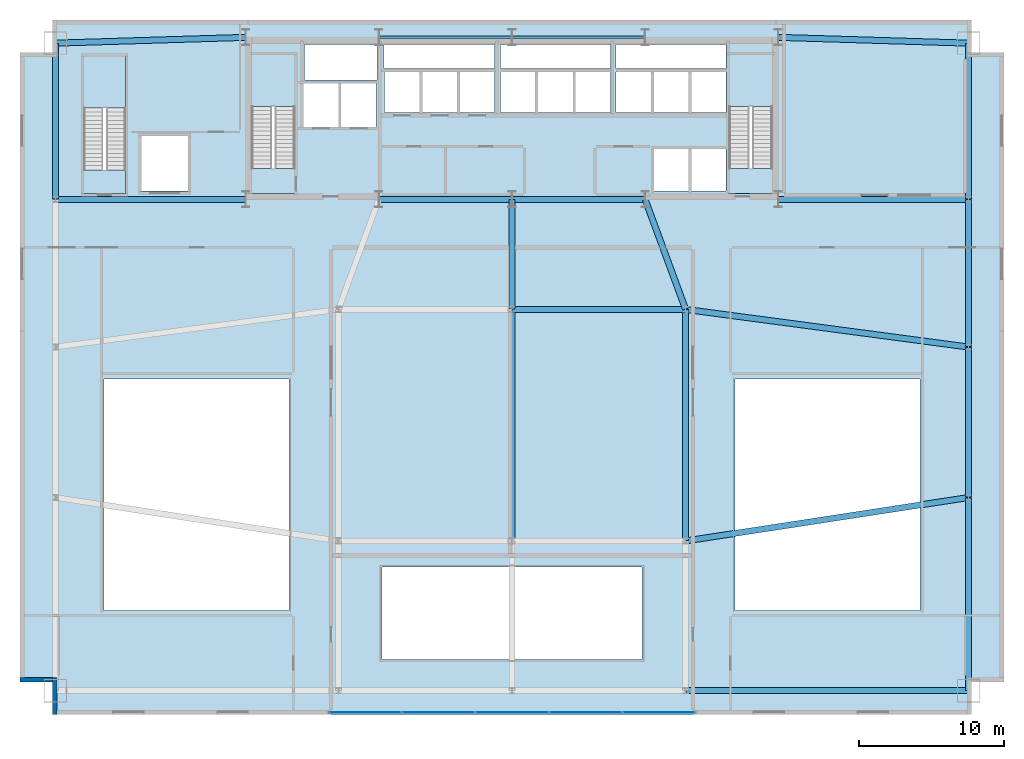
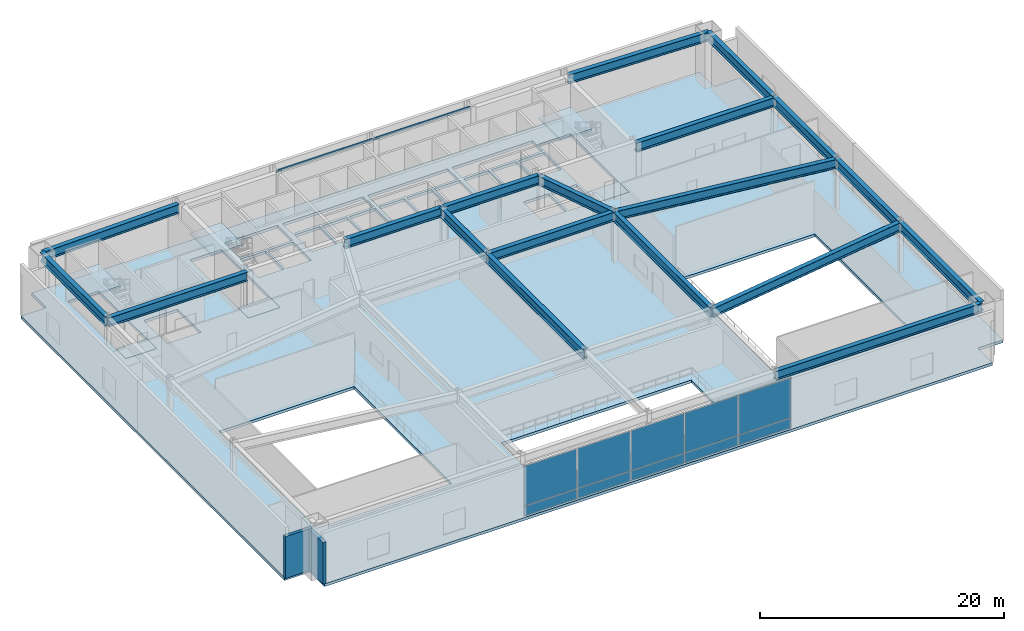
# One storey, part 7 of 13: 21 beams, 10 plates, 7 slabs, 2 walls, 4 elements without a shape of their own.
"""IFC4 building model written with IfcOpenShell, lengths in metres."""

from ifc_helpers import new_model, si_unit, direction, frame, frame_2d, origin, origin_2d, place, context, subcontext, project, spatial, polyline, rectangle, i_section, outline, extrude, source, transform, mapped, material, layer, layer_set, material_profile, profile_set, type_object, type_shapes, element, aggregate, save


model = new_model("IFC4")

# Units and contexts
model_context = context("Model", 3, precision=1e-05, world=origin(), true_north=direction((0.0, 1.0)))
body_context = subcontext(model_context, "Body", "Model", "MODEL_VIEW")
ifc_project = project(units=[si_unit("LENGTHUNIT", "METRE"), si_unit("AREAUNIT", "SQUARE_METRE"), si_unit("VOLUMEUNIT", "CUBIC_METRE"), si_unit("PLANEANGLEUNIT", "RADIAN"), si_unit("MASSUNIT", "GRAM", prefix="KILO")], contexts=[model_context])

# Site, building, storey
site_placement = place(None, origin())
site = spatial("IfcSite", under=ifc_project, at=site_placement, CompositionType="ELEMENT")
building_placement = place(site_placement, origin())
building = spatial("IfcBuilding", under=site, at=building_placement, Name="Varnel Quay Broadcast Tower", CompositionType="ELEMENT")
storey_placement = place(building_placement, frame((0.0, 0.0, 6.0)))
storey = spatial("IfcBuildingStorey", under=building, at=storey_placement, Name="L01", CompositionType="ELEMENT", Elevation=6.0)

# Beams
ifc_material_1 = material(Name="Structural Steel CSA G40.21 350W", Category="steel")
ifc_material_profile_1 = material_profile(ifc_material_1, i_section(OverallWidth=0.1650390625, OverallDepth=0.200927734375, WebThickness=0.006103515625, FlangeThickness=0.01025390625, FilletRadius=0.010009765625, at=origin_2d()), Name="W200X36")
ifc_profile_set_1 = profile_set([ifc_material_profile_1], Name="Structural Steel CSA G40.21 350W")
beam_type_1 = type_object("IfcBeamType", Name="Beam_W200X36", PredefinedType="LINTEL", material=ifc_profile_set_1)
shared_shape_1 = source(origin(), body_context, "Body", "SweptSolid", [
    extrude(i_section(OverallWidth=0.1650390625, OverallDepth=0.200927734375, WebThickness=0.006103515625, FlangeThickness=0.01025390625, FilletRadius=0.010009765625, at=origin_2d()), origin(), (0.0, 0.0, 1.0), 9.159912109375),
])
type_shapes(beam_type_1, [shared_shape_1])
for number, where, z_axis, x_axis, name in (
    (1, (24.820068359375, 46.800048828125, 5.01953125), (1.0, 0.0, 0.0), (0.0, 1.0, 0.0), "L01 Core North Portal Lintel W"),
    (2, (34.02001953125, 46.800048828125, 5.01953125), (1.0, 0.0, 0.0), (0.0, 1.0, 0.0), "L01 Core North Portal Lintel E"),
):
    element("IfcBeam", number, at=place(storey_placement, frame(where, z_axis=z_axis, x_axis=x_axis)), inside=storey, type_object=beam_type_1, Name=name, PredefinedType="LINTEL", context=body_context, shape_type="MappedRepresentation", body=[
        mapped(shared_shape_1, transform((0.0, 0.0, 0.0), x_axis=(1.0, 0.0, 0.0), y_axis=(0.0, 1.0, 0.0), z_axis=(0.0, 0.0, 1.0), scale=1.0)),
    ])
ifc_material_profile_2 = material_profile(ifc_material_1, i_section(OverallWidth=0.41796875, OverallDepth=0.912109375, WebThickness=0.019287109375, FlangeThickness=0.031982421875, FilletRadius=0.02197265625, at=origin_2d()), Name="W920X342")
ifc_profile_set_2 = profile_set([ifc_material_profile_2], Name="Structural Steel CSA G40.21 350W")
beam_type_2 = type_object("IfcBeamType", Name="Girder_W920X342", PredefinedType="BEAM", material=ifc_profile_set_2)
shared_shape_2 = source(origin(), body_context, "Body", "SweptSolid", [
    extrude(i_section(OverallWidth=0.41796875, OverallDepth=0.912109375, WebThickness=0.019287109375, FlangeThickness=0.031982421875, FilletRadius=0.02197265625, at=origin_2d()), origin(), (0.0, 0.0, 1.0), 19.510009765625),
])
beam_1_placement = place(storey_placement, frame((46.02001953125, 1.64990234375, 4.6640625), z_axis=(1.0, 0.0, 0.0), x_axis=(0.0, 1.0, 0.0)))
element("IfcBeam", 3, at=beam_1_placement, inside=storey, type_object=beam_type_2, Name="L01 Girder G-PS4", PredefinedType="BEAM", context=body_context, shape_type="MappedRepresentation", body=[
    mapped(shared_shape_2, transform((0.0, 0.0, 0.0), x_axis=(1.0, 0.0, 0.0), y_axis=(0.0, 1.0, 0.0), z_axis=(0.0, 0.0, 1.0), scale=1.0)),
])
shared_shape_3 = source(origin(), body_context, "Body", "SweptSolid", [
    extrude(i_section(OverallWidth=0.41796875, OverallDepth=0.912109375, WebThickness=0.019287109375, FlangeThickness=0.031982421875, FilletRadius=0.02197265625, at=origin_2d()), origin(), (0.0, 0.0, 1.0), 11.9599609375),
])
beam_2_placement = place(storey_placement, frame((34.02001953125, 28.0, 4.6640625), z_axis=(1.0, 0.0, 0.0), x_axis=(0.0, 1.0, 0.0)))
element("IfcBeam", 4, at=beam_2_placement, inside=storey, type_object=beam_type_2, Name="L01 Girder G-STC3", PredefinedType="BEAM", context=body_context, shape_type="MappedRepresentation", body=[
    mapped(shared_shape_3, transform((0.0, 0.0, 0.0), x_axis=(1.0, 0.0, 0.0), y_axis=(0.0, 1.0, 0.0), z_axis=(0.0, 0.0, 1.0), scale=1.0)),
])
shared_shape_4 = source(origin(), body_context, "Body", "SweptSolid", [
    extrude(i_section(OverallWidth=0.41796875, OverallDepth=0.912109375, WebThickness=0.019287109375, FlangeThickness=0.031982421875, FilletRadius=0.02197265625, at=origin_2d()), origin(), (0.0, 0.0, 1.0), 13.31005859375),
])
beam_3_placement = place(storey_placement, frame((65.550048828125, 1.669921875, 4.6640625), z_axis=(0.0, 1.0, 0.0), x_axis=(-1.0, 0.0, 0.0)))
element("IfcBeam", 5, at=beam_3_placement, inside=storey, type_object=beam_type_2, Name="L01 Girder G-PE1", PredefinedType="BEAM", context=body_context, shape_type="MappedRepresentation", body=[
    mapped(shared_shape_4, transform((0.0, 0.0, 0.0), x_axis=(1.0, 0.0, 0.0), y_axis=(0.0, 1.0, 0.0), z_axis=(0.0, 0.0, 1.0), scale=1.0)),
])
shared_shape_5 = source(origin(), body_context, "Body", "SweptSolid", [
    extrude(i_section(OverallWidth=0.41796875, OverallDepth=0.912109375, WebThickness=0.019287109375, FlangeThickness=0.031982421875, FilletRadius=0.02197265625, at=origin_2d()), origin(), (0.0, 0.0, 1.0), 10.35986328125),
])
beam_4_placement = place(storey_placement, frame((65.550048828125, 15.02001953125, 4.6640625), z_axis=(0.0, 1.0, 0.0), x_axis=(-1.0, 0.0, 0.0)))
element("IfcBeam", 6, at=beam_4_placement, inside=storey, type_object=beam_type_2, Name="L01 Girder G-PE2", PredefinedType="BEAM", context=body_context, shape_type="MappedRepresentation", body=[
    mapped(shared_shape_5, transform((0.0, 0.0, 0.0), x_axis=(1.0, 0.0, 0.0), y_axis=(0.0, 1.0, 0.0), z_axis=(0.0, 0.0, 1.0), scale=1.0)),
])
shared_shape_6 = source(origin(), body_context, "Body", "SweptSolid", [
    extrude(i_section(OverallWidth=0.41796875, OverallDepth=0.912109375, WebThickness=0.019287109375, FlangeThickness=0.031982421875, FilletRadius=0.02197265625, at=origin_2d()), origin(), (0.0, 0.0, 1.0), 10.16015625),
])
beam_5_placement = place(storey_placement, frame((65.550048828125, 25.419921875, 4.6640625), z_axis=(0.0, 1.0, 0.0), x_axis=(-1.0, 0.0, 0.0)))
element("IfcBeam", 7, at=beam_5_placement, inside=storey, type_object=beam_type_2, Name="L01 Girder G-PE3", PredefinedType="BEAM", context=body_context, shape_type="MappedRepresentation", body=[
    mapped(shared_shape_6, transform((0.0, 0.0, 0.0), x_axis=(1.0, 0.0, 0.0), y_axis=(0.0, 1.0, 0.0), z_axis=(0.0, 0.0, 1.0), scale=1.0)),
])
shared_shape_7 = source(origin(), body_context, "Body", "SweptSolid", [
    extrude(i_section(OverallWidth=0.41796875, OverallDepth=0.912109375, WebThickness=0.019287109375, FlangeThickness=0.031982421875, FilletRadius=0.02197265625, at=origin_2d()), origin(), (0.0, 0.0, 1.0), 10.759765625),
])
for number, where, z_axis, x_axis, name in (
    (8, (2.449951171875, 35.6201171875, 4.6640625), (0.0, 1.0, 0.0), (-1.0, 0.0, 0.0), "L01 Girder G-PW4"),
    (9, (65.550048828125, 35.6201171875, 4.6640625), (0.0, 1.0, 0.0), (-1.0, 0.0, 0.0), "L01 Girder G-PE4"),
):
    element("IfcBeam", number, at=place(storey_placement, frame(where, z_axis=z_axis, x_axis=x_axis)), inside=storey, type_object=beam_type_2, Name=name, PredefinedType="BEAM", context=body_context, shape_type="MappedRepresentation", body=[
        mapped(shared_shape_7, transform((0.0, 0.0, 0.0), x_axis=(1.0, 0.0, 0.0), y_axis=(0.0, 1.0, 0.0), z_axis=(0.0, 0.0, 1.0), scale=1.0)),
    ])
shared_shape_8 = source(origin(), body_context, "Body", "SweptSolid", [
    extrude(i_section(OverallWidth=0.41796875, OverallDepth=0.912109375, WebThickness=0.019287109375, FlangeThickness=0.031982421875, FilletRadius=0.02197265625, at=origin_2d()), origin(), (0.0, 0.0, 1.0), 13.1162109375),
])
for number, where, z_axis, x_axis, name in (
    (10, (2.469970703125, 46.400634765625, 4.6640625), (0.999537928818, 0.030396198025, 0.0), (-0.030396198025, 0.999537928818, 0.0), "L01 Girder G-PN1"),
    (11, (52.419921875, 46.79931640625, 4.6640625), (0.999537928818, -0.030396198025, 0.0), (0.030396198025, 0.999537928818, 0.0), "L01 Girder G-PN2"),
):
    element("IfcBeam", number, at=place(storey_placement, frame(where, z_axis=z_axis, x_axis=x_axis)), inside=storey, type_object=beam_type_2, Name=name, PredefinedType="BEAM", context=body_context, shape_type="MappedRepresentation", body=[
        mapped(shared_shape_8, transform((0.0, 0.0, 0.0), x_axis=(1.0, 0.0, 0.0), y_axis=(0.0, 1.0, 0.0), z_axis=(0.0, 0.0, 1.0), scale=1.0)),
    ])
shared_shape_9 = source(origin(), body_context, "Body", "SweptSolid", [
    extrude(i_section(OverallWidth=0.41796875, OverallDepth=0.912109375, WebThickness=0.019287109375, FlangeThickness=0.031982421875, FilletRadius=0.02197265625, at=origin_2d()), origin(), (0.0, 0.0, 1.0), 19.682373046875),
])
beam_6_placement = place(storey_placement, frame((46.019775390625, 27.997314453125, 4.6640625), z_axis=(0.991272261072, -0.131830589885, 0.0), x_axis=(0.131830589885, 0.991272261072, 0.0)))
element("IfcBeam", 12, at=beam_6_placement, inside=storey, type_object=beam_type_2, Name="L01 Girder G-STB2", PredefinedType="BEAM", context=body_context, shape_type="MappedRepresentation", body=[
    mapped(shared_shape_9, transform((0.0, 0.0, 0.0), x_axis=(1.0, 0.0, 0.0), y_axis=(0.0, 1.0, 0.0), z_axis=(0.0, 0.0, 1.0), scale=1.0)),
])
shared_shape_10 = source(origin(), body_context, "Body", "SweptSolid", [
    extrude(i_section(OverallWidth=0.41796875, OverallDepth=0.912109375, WebThickness=0.019287109375, FlangeThickness=0.031982421875, FilletRadius=0.02197265625, at=origin_2d()), origin(), (0.0, 0.0, 1.0), 15.9599609375),
])
for number, where, z_axis, x_axis, name in (
    (13, (34.0, 12.02001953125, 4.6640625), (0.0, 1.0, 0.0), (-1.0, 0.0, 0.0), "L01 Girder G-M2C"),
    (14, (46.0, 12.02001953125, 4.6640625), (0.0, 1.0, 0.0), (-1.0, 0.0, 0.0), "L01 Girder G-M4"),
):
    element("IfcBeam", number, at=place(storey_placement, frame(where, z_axis=z_axis, x_axis=x_axis)), inside=storey, type_object=beam_type_2, Name=name, PredefinedType="BEAM", context=body_context, shape_type="MappedRepresentation", body=[
        mapped(shared_shape_10, transform((0.0, 0.0, 0.0), x_axis=(1.0, 0.0, 0.0), y_axis=(0.0, 1.0, 0.0), z_axis=(0.0, 0.0, 1.0), scale=1.0)),
    ])
shared_shape_11 = source(origin(), body_context, "Body", "SweptSolid", [
    extrude(i_section(OverallWidth=0.41796875, OverallDepth=0.912109375, WebThickness=0.019287109375, FlangeThickness=0.031982421875, FilletRadius=0.02197265625, at=origin_2d()), origin(), (0.0, 0.0, 1.0), 8.0595703125),
])
beam_7_placement = place(storey_placement, frame((45.9931640625, 28.018798828125, 4.6640625), z_axis=(-0.345726415607, 0.938335358788, 0.0), x_axis=(-0.938335358788, -0.345726415607, 0.0)))
element("IfcBeam", 15, at=beam_7_placement, inside=storey, type_object=beam_type_2, Name="L01 Girder G-C3", PredefinedType="BEAM", context=body_context, shape_type="MappedRepresentation", body=[
    mapped(shared_shape_11, transform((0.0, 0.0, 0.0), x_axis=(1.0, 0.0, 0.0), y_axis=(0.0, 1.0, 0.0), z_axis=(0.0, 0.0, 1.0), scale=1.0)),
])
shared_shape_12 = source(origin(), body_context, "Body", "SweptSolid", [
    extrude(i_section(OverallWidth=0.41796875, OverallDepth=0.912109375, WebThickness=0.019287109375, FlangeThickness=0.031982421875, FilletRadius=0.02197265625, at=origin_2d()), origin(), (0.0, 0.0, 1.0), 7.56005859375),
])
beam_8_placement = place(storey_placement, frame((34.0, 28.02001953125, 4.6640625), z_axis=(0.0, 1.0, 0.0), x_axis=(-1.0, 0.0, 0.0)))
element("IfcBeam", 16, at=beam_8_placement, inside=storey, type_object=beam_type_2, Name="L01 Girder G-C2", PredefinedType="BEAM", context=body_context, shape_type="MappedRepresentation", body=[
    mapped(shared_shape_12, transform((0.0, 0.0, 0.0), x_axis=(1.0, 0.0, 0.0), y_axis=(0.0, 1.0, 0.0), z_axis=(0.0, 0.0, 1.0), scale=1.0)),
])
shared_shape_13 = source(origin(), body_context, "Body", "SweptSolid", [
    extrude(i_section(OverallWidth=0.41796875, OverallDepth=0.912109375, WebThickness=0.019287109375, FlangeThickness=0.031982421875, FilletRadius=0.02197265625, at=origin_2d()), origin(), (0.0, 0.0, 1.0), 13.110107421875),
])
for number, where, z_axis, x_axis, name in (
    (17, (2.469970703125, 35.60009765625, 4.6640625), (1.0, 0.0, 0.0), (0.0, 1.0, 0.0), "L01 Girder G-C4"),
    (18, (52.419921875, 35.60009765625, 4.6640625), (1.0, 0.0, 0.0), (0.0, 1.0, 0.0), "L01 Girder G-C5"),
):
    element("IfcBeam", number, at=place(storey_placement, frame(where, z_axis=z_axis, x_axis=x_axis)), inside=storey, type_object=beam_type_2, Name=name, PredefinedType="BEAM", context=body_context, shape_type="MappedRepresentation", body=[
        mapped(shared_shape_13, transform((0.0, 0.0, 0.0), x_axis=(1.0, 0.0, 0.0), y_axis=(0.0, 1.0, 0.0), z_axis=(0.0, 0.0, 1.0), scale=1.0)),
    ])
shared_shape_14 = source(origin(), body_context, "Body", "SweptSolid", [
    extrude(i_section(OverallWidth=0.41796875, OverallDepth=0.912109375, WebThickness=0.019287109375, FlangeThickness=0.031982421875, FilletRadius=0.02197265625, at=origin_2d()), origin(), (0.0, 0.0, 1.0), 9.159912109375),
])
for number, where, z_axis, x_axis, name in (
    (19, (24.820068359375, 35.60009765625, 4.6640625), (1.0, 0.0, 0.0), (0.0, 1.0, 0.0), "L01 Girder G-CS1"),
    (20, (34.02001953125, 35.60009765625, 4.6640625), (1.0, 0.0, 0.0), (0.0, 1.0, 0.0), "L01 Girder G-CS2"),
):
    element("IfcBeam", number, at=place(storey_placement, frame(where, z_axis=z_axis, x_axis=x_axis)), inside=storey, type_object=beam_type_2, Name=name, PredefinedType="BEAM", context=body_context, shape_type="MappedRepresentation", body=[
        mapped(shared_shape_14, transform((0.0, 0.0, 0.0), x_axis=(1.0, 0.0, 0.0), y_axis=(0.0, 1.0, 0.0), z_axis=(0.0, 0.0, 1.0), scale=1.0)),
    ])
shared_shape_15 = source(origin(), body_context, "Body", "SweptSolid", [
    extrude(i_section(OverallWidth=0.41796875, OverallDepth=0.912109375, WebThickness=0.019287109375, FlangeThickness=0.031982421875, FilletRadius=0.02197265625, at=origin_2d()), origin(), (0.0, 0.0, 1.0), 19.739013671875),
])
type_shapes(beam_type_2, [shared_shape_2, shared_shape_3, shared_shape_4, shared_shape_5, shared_shape_6, shared_shape_7, shared_shape_8, shared_shape_9, shared_shape_10, shared_shape_11, shared_shape_12, shared_shape_13, shared_shape_14, shared_shape_15])
beam_9_placement = place(storey_placement, frame((46.019775390625, 12.0029296875, 4.6640625), z_axis=(0.988428537819, 0.151687262564, 0.0), x_axis=(-0.151687262564, 0.988428537819, 0.0)))
element("IfcBeam", 21, at=beam_9_placement, inside=storey, type_object=beam_type_2, Name="L01 Girder G-STB1", PredefinedType="BEAM", context=body_context, shape_type="MappedRepresentation", body=[
    mapped(shared_shape_15, transform((0.0, 0.0, 0.0), x_axis=(1.0, 0.0, 0.0), y_axis=(0.0, 1.0, 0.0), z_axis=(0.0, 0.0, 1.0), scale=1.0)),
])

# Slabs
ifc_material_2 = material(Name="Concrete CSA A23.3 C50/60", Category="concrete")
ifc_layer_1 = layer(ifc_material_2, 0.280029296875, Name="Concrete CSA A23.3 C50/60")
ifc_layer_set_1 = layer_set([ifc_layer_1], Name="Concrete CSA A23.3 C50/60")
slab_type_1 = type_object("IfcSlabType", Name="Slab_Floor280", PredefinedType="FLOOR", material=ifc_layer_set_1)
slab_1_placement = place(storey_placement, frame((0.0, 0.0, -0.280029296875)))
element("IfcSlab", 22, at=slab_1_placement, inside=storey, type_object=slab_type_1, Name="L01 Structural Slab", PredefinedType="FLOOR", context=body_context, shape_type="SweptSolid", body=[
    extrude(outline(polyline([(2.39990234375, 0.0), (65.60009765625, 0.0), (65.60009765625, 2.39990234375), (68.0, 2.39990234375), (68.0, 45.60009765625), (65.60009765625, 45.60009765625), (65.60009765625, 48.0), (2.39990234375, 48.0), (2.39990234375, 45.60009765625), (0.0, 45.60009765625), (0.0, 2.39990234375), (2.39990234375, 2.39990234375), (2.39990234375, 0.0)]), holes=[polyline([(25.0, 10.199951171875), (43.0, 10.199951171875), (43.0, 3.800048828125), (25.0, 3.800048828125), (25.0, 10.199951171875)]), polyline([(18.60009765625, 23.199951171875), (18.60009765625, 7.199951171875), (5.800048828125, 7.199951171875), (5.800048828125, 23.199951171875), (18.60009765625, 23.199951171875)]), polyline([(11.60009765625, 40.0), (11.60009765625, 36.199951171875), (8.39990234375, 36.199951171875), (8.39990234375, 40.0), (11.60009765625, 40.0)]), polyline([(4.39990234375, 36.0), (4.39990234375, 45.5), (7.300048828125, 45.5), (7.300048828125, 36.0), (4.39990234375, 36.0)]), polyline([(16.0, 45.60009765625), (19.0, 45.60009765625), (19.0, 36.0), (16.0, 36.0), (16.0, 45.60009765625)]), polyline([(22.0, 43.60009765625), (22.0, 40.60009765625), (19.60009765625, 40.60009765625), (19.60009765625, 43.60009765625), (22.0, 43.60009765625)]), polyline([(22.199951171875, 43.60009765625), (24.60009765625, 43.60009765625), (24.60009765625, 40.60009765625), (22.199951171875, 40.60009765625), (22.199951171875, 43.60009765625)]), polyline([(27.60009765625, 44.39990234375), (27.60009765625, 41.60009765625), (25.199951171875, 41.60009765625), (25.199951171875, 44.39990234375), (27.60009765625, 44.39990234375)]), polyline([(30.199951171875, 44.39990234375), (30.199951171875, 41.60009765625), (27.800048828125, 41.60009765625), (27.800048828125, 44.39990234375), (30.199951171875, 44.39990234375)]), polyline([(30.39990234375, 44.39990234375), (32.800048828125, 44.39990234375), (32.800048828125, 41.60009765625), (30.39990234375, 41.60009765625), (30.39990234375, 44.39990234375)]), polyline([(24.679931640625, 46.300048828125), (24.679931640625, 43.85009765625), (19.64990234375, 43.85009765625), (19.64990234375, 46.300048828125), (24.679931640625, 46.300048828125)]), polyline([(32.800048828125, 46.300048828125), (32.800048828125, 44.64990234375), (25.14990234375, 44.64990234375), (25.14990234375, 46.300048828125), (32.800048828125, 46.300048828125)]), polyline([(49.39990234375, 23.199951171875), (62.199951171875, 23.199951171875), (62.199951171875, 7.199951171875), (49.39990234375, 7.199951171875), (49.39990234375, 23.199951171875)]), polyline([(46.199951171875, 39.10009765625), (46.199951171875, 36.199951171875), (43.800048828125, 36.199951171875), (43.800048828125, 39.10009765625), (46.199951171875, 39.10009765625)]), polyline([(48.800048828125, 39.10009765625), (48.800048828125, 36.199951171875), (46.39990234375, 36.199951171875), (46.39990234375, 39.10009765625), (48.800048828125, 39.10009765625)]), polyline([(49.0, 36.0), (49.0, 45.60009765625), (52.0, 45.60009765625), (52.0, 36.0), (49.0, 36.0)]), polyline([(35.60009765625, 44.39990234375), (35.60009765625, 41.60009765625), (33.199951171875, 41.60009765625), (33.199951171875, 44.39990234375), (35.60009765625, 44.39990234375)]), polyline([(38.199951171875, 44.39990234375), (38.199951171875, 41.60009765625), (35.800048828125, 41.60009765625), (35.800048828125, 44.39990234375), (38.199951171875, 44.39990234375)]), polyline([(38.39990234375, 44.39990234375), (40.800048828125, 44.39990234375), (40.800048828125, 41.60009765625), (38.39990234375, 41.60009765625), (38.39990234375, 44.39990234375)]), polyline([(43.60009765625, 44.39990234375), (43.60009765625, 41.60009765625), (41.199951171875, 41.60009765625), (41.199951171875, 44.39990234375), (43.60009765625, 44.39990234375)]), polyline([(46.199951171875, 44.39990234375), (46.199951171875, 41.60009765625), (43.800048828125, 41.60009765625), (43.800048828125, 44.39990234375), (46.199951171875, 44.39990234375)]), polyline([(46.39990234375, 44.39990234375), (48.800048828125, 44.39990234375), (48.800048828125, 41.60009765625), (46.39990234375, 41.60009765625), (46.39990234375, 44.39990234375)]), polyline([(40.800048828125, 46.300048828125), (40.800048828125, 44.64990234375), (33.199951171875, 44.64990234375), (33.199951171875, 46.300048828125), (40.800048828125, 46.300048828125)]), polyline([(48.800048828125, 46.300048828125), (48.800048828125, 44.64990234375), (41.199951171875, 44.64990234375), (41.199951171875, 46.300048828125), (48.800048828125, 46.300048828125)])]), origin(), (0.0, 0.0, 1.0), 0.280029296875),
])
ifc_layer_2 = layer(ifc_material_2, 0.25, Name="Concrete CSA A23.3 C50/60")
ifc_layer_set_2 = layer_set([ifc_layer_2], Name="Concrete CSA A23.3 C50/60")
slab_type_2 = type_object("IfcSlabType", Name="Slab_StairFloorLanding250", PredefinedType="FLOOR", material=ifc_layer_set_2)
slab_2_placement = place(storey_placement, frame((0.0, 0.0, -0.280029296875)))
element("IfcSlab", 23, at=slab_2_placement, inside=storey, type_object=slab_type_2, Name="L01 ST-01 Structural Floor Landing Slab", PredefinedType="FLOOR", context=body_context, shape_type="SweptSolid", body=[
    extrude(outline(polyline([(19.0, 36.0), (19.0, 37.75), (16.0, 37.75), (16.0, 36.0), (19.0, 36.0)])), origin(), (0.0, 0.0, 1.0), 0.280029296875),
])
slab_3_placement = place(storey_placement, frame((0.0, 0.0, -0.280029296875)))
element("IfcSlab", 24, at=slab_3_placement, inside=storey, type_object=slab_type_2, Name="L01 ST-02 Structural Floor Landing Slab", PredefinedType="FLOOR", context=body_context, shape_type="SweptSolid", body=[
    extrude(outline(polyline([(52.0, 36.0), (52.0, 37.75), (49.0, 37.75), (49.0, 36.0), (52.0, 36.0)])), origin(), (0.0, 0.0, 1.0), 0.280029296875),
])
slab_4_placement = place(storey_placement, frame((0.0, 0.0, -0.280029296875)))
element("IfcSlab", 25, at=slab_4_placement, inside=storey, type_object=slab_type_2, Name="L01 ST-03 Structural Floor Landing Slab", PredefinedType="FLOOR", context=body_context, shape_type="SweptSolid", body=[
    extrude(outline(polyline([(7.300048828125, 36.0), (7.300048828125, 37.64990234375), (4.39990234375, 37.64990234375), (4.39990234375, 36.0), (7.300048828125, 36.0)])), origin(), (0.0, 0.0, 1.0), 0.280029296875),
])

# Stair, slab
ifc_material_3 = material(Name="Precast Structural Concrete C40/50", Category="concrete")
stair_type_1 = type_object("IfcStairType", Name="Stair_ST-01", PredefinedType="HALF_TURN_STAIR", material=ifc_material_3)
stair_1_placement = place(storey_placement, origin())
stair_1 = element("IfcStair", 26, at=stair_1_placement, inside=storey, type_object=stair_type_1, Name="L01 West Core Exit Stair 1", PredefinedType="HALF_TURN_STAIR")
ifc_layer_3 = layer(ifc_material_3, 0.199951171875, Name="Precast Structural Concrete C40/50")
ifc_layer_set_3 = layer_set([ifc_layer_3], Name="Precast Structural Concrete C40/50")
slab_type_3 = type_object("IfcSlabType", Name="Slab_StairLanding200", PredefinedType="LANDING", material=ifc_layer_set_3)
slab_5_placement = place(storey_placement, frame((0.0, 0.0, 2.5)))
slab_5 = element("IfcSlab", 27, at=slab_5_placement, type_object=slab_type_3, Name="ST-01 landing 1", PredefinedType="LANDING", context=body_context, shape_type="SweptSolid", body=[
    extrude(outline(polyline([(19.0, 42.02490234375), (19.0, 45.60009765625), (16.0, 45.60009765625), (16.0, 42.02490234375), (19.0, 42.02490234375)])), origin(), (0.0, 0.0, 1.0), 0.199951171875),
])
aggregate(stair_1, [slab_5])

stair_type_2 = type_object("IfcStairType", Name="Stair_ST-02", PredefinedType="HALF_TURN_STAIR", material=ifc_material_3)
stair_2_placement = place(storey_placement, origin())
stair_2 = element("IfcStair", 28, at=stair_2_placement, inside=storey, type_object=stair_type_2, Name="L01 East Core Exit Stair 2", PredefinedType="HALF_TURN_STAIR")
slab_6_placement = place(storey_placement, frame((0.0, 0.0, 2.5)))
slab_6 = element("IfcSlab", 29, at=slab_6_placement, type_object=slab_type_3, Name="ST-02 landing 1", PredefinedType="LANDING", context=body_context, shape_type="SweptSolid", body=[
    extrude(outline(polyline([(52.0, 42.02490234375), (52.0, 45.60009765625), (49.0, 45.60009765625), (49.0, 42.02490234375), (52.0, 42.02490234375)])), origin(), (0.0, 0.0, 1.0), 0.199951171875),
])
aggregate(stair_2, [slab_6])

stair_type_3 = type_object("IfcStairType", Name="Stair_ST-03", PredefinedType="HALF_TURN_STAIR", material=ifc_material_3)
stair_3_placement = place(storey_placement, origin())
stair_3 = element("IfcStair", 30, at=stair_3_placement, inside=storey, type_object=stair_type_3, Name="L01 Podium Studio Exit Stair 3", PredefinedType="HALF_TURN_STAIR")
slab_7_placement = place(storey_placement, frame((0.0, 0.0, 2.5)))
slab_7 = element("IfcSlab", 31, at=slab_7_placement, type_object=slab_type_3, Name="ST-03 landing 1", PredefinedType="LANDING", context=body_context, shape_type="SweptSolid", body=[
    extrude(outline(polyline([(7.300048828125, 41.925048828125), (7.300048828125, 45.5), (4.39990234375, 45.5), (4.39990234375, 41.925048828125), (7.300048828125, 41.925048828125)])), origin(), (0.0, 0.0, 1.0), 0.199951171875),
])
aggregate(stair_3, [slab_7])

# Curtain wall, plates
ifc_material_4 = material(Name="Anodised Bronze Aluminium 6063-T6", Category="aluminium")
ifc_layer_4 = layer(ifc_material_4, 0.18994140625, Name="Anodised Bronze Aluminium 6063-T6")
ifc_layer_set_4 = layer_set([ifc_layer_4], Name="Anodised Bronze Aluminium 6063-T6")
curtain_wall_type = type_object("IfcCurtainWallType", Name="CW_PodiumForum", PredefinedType="NOTDEFINED", material=ifc_layer_set_4)
curtain_wall_placement = place(storey_placement, origin())
curtain_wall = element("IfcCurtainWall", 32, at=curtain_wall_placement, inside=storey, type_object=curtain_wall_type, Name="L01 Waterfront Forum Curtain Wall", PredefinedType="NOTDEFINED")
ifc_material_5 = material(Name="Triple-Glazed Clear High-Vision Low-E Glass", Category="glass")
ifc_layer_5 = layer(ifc_material_5, 0.035888671875, Name="Triple-Glazed Clear High-Vision Low-E Glass")
ifc_layer_set_5 = layer_set([ifc_layer_5], Name="Triple-Glazed Clear High-Vision Low-E Glass")
plate_type = type_object("IfcPlateType", Name="Panel_CWS-01", PredefinedType="CURTAIN_PANEL", material=ifc_layer_set_5)
shared_shape_16 = source(origin(), body_context, "Body", "SweptSolid", [
    extrude(rectangle(XDim=4.967529296875, YDim=0.035888671875, at=origin_2d()), origin(), (0.0, 0.0, 1.0), 0.952392578125),
])
plate_1_placement = place(storey_placement, frame((23.858642578125, 0.14990234375, 0.06494140625), z_axis=(0.0, 0.0, 1.0), x_axis=(1.0, 0.0, 0.0)))
plate_1 = element("IfcPlate", 33, at=plate_1_placement, type_object=plate_type, Name="CWS-01 panel 1.1", PredefinedType="CURTAIN_PANEL", context=body_context, shape_type="MappedRepresentation", body=[
    mapped(shared_shape_16, transform((0.0, 0.0, 0.0), x_axis=(1.0, 0.0, 0.0), y_axis=(0.0, 1.0, 0.0), z_axis=(0.0, 0.0, 1.0), scale=1.0)),
])
plate_2_placement = place(storey_placement, frame((44.141357421875, 0.14990234375, 0.06494140625), z_axis=(0.0, 0.0, 1.0), x_axis=(1.0, 0.0, 0.0)))
plate_2 = element("IfcPlate", 34, at=plate_2_placement, type_object=plate_type, Name="CWS-01 panel 5.1", PredefinedType="CURTAIN_PANEL", context=body_context, shape_type="MappedRepresentation", body=[
    mapped(shared_shape_16, transform((0.0, 0.0, 0.0), x_axis=(1.0, 0.0, 0.0), y_axis=(0.0, 1.0, 0.0), z_axis=(0.0, 0.0, 1.0), scale=1.0)),
])
shared_shape_17 = source(origin(), body_context, "Body", "SweptSolid", [
    extrude(rectangle(XDim=4.967529296875, YDim=0.035888671875, at=origin_2d()), origin(), (0.0, 0.0, 1.0), 3.972412109375),
])
plate_3_placement = place(storey_placement, frame((23.858642578125, 0.14990234375, 1.08251953125), z_axis=(0.0, 0.0, 1.0), x_axis=(1.0, 0.0, 0.0)))
plate_3 = element("IfcPlate", 35, at=plate_3_placement, type_object=plate_type, Name="CWS-01 panel 1.2", PredefinedType="CURTAIN_PANEL", context=body_context, shape_type="MappedRepresentation", body=[
    mapped(shared_shape_17, transform((0.0, 0.0, 0.0), x_axis=(1.0, 0.0, 0.0), y_axis=(0.0, 1.0, 0.0), z_axis=(0.0, 0.0, 1.0), scale=1.0)),
])
plate_4_placement = place(storey_placement, frame((44.141357421875, 0.14990234375, 1.08251953125), z_axis=(0.0, 0.0, 1.0), x_axis=(1.0, 0.0, 0.0)))
plate_4 = element("IfcPlate", 36, at=plate_4_placement, type_object=plate_type, Name="CWS-01 panel 5.2", PredefinedType="CURTAIN_PANEL", context=body_context, shape_type="MappedRepresentation", body=[
    mapped(shared_shape_17, transform((0.0, 0.0, 0.0), x_axis=(1.0, 0.0, 0.0), y_axis=(0.0, 1.0, 0.0), z_axis=(0.0, 0.0, 1.0), scale=1.0)),
])
shared_shape_18 = source(origin(), body_context, "Body", "SweptSolid", [
    extrude(rectangle(XDim=5.0048828125, YDim=0.035888671875, at=origin_2d()), origin(), (0.0, 0.0, 1.0), 0.952392578125),
])
plate_5_placement = place(storey_placement, frame((28.919921875, 0.14990234375, 0.06494140625), z_axis=(0.0, 0.0, 1.0), x_axis=(1.0, 0.0, 0.0)))
plate_5 = element("IfcPlate", 37, at=plate_5_placement, type_object=plate_type, Name="CWS-01 panel 2.1", PredefinedType="CURTAIN_PANEL", context=body_context, shape_type="MappedRepresentation", body=[
    mapped(shared_shape_18, transform((0.0, 0.0, 0.0), x_axis=(1.0, 0.0, 0.0), y_axis=(0.0, 1.0, 0.0), z_axis=(0.0, 0.0, 1.0), scale=1.0)),
])
plate_6_placement = place(storey_placement, frame((34.0, 0.14990234375, 0.06494140625), z_axis=(0.0, 0.0, 1.0), x_axis=(1.0, 0.0, 0.0)))
plate_6 = element("IfcPlate", 38, at=plate_6_placement, type_object=plate_type, Name="CWS-01 panel 3.1", PredefinedType="CURTAIN_PANEL", context=body_context, shape_type="MappedRepresentation", body=[
    mapped(shared_shape_18, transform((0.0, 0.0, 0.0), x_axis=(1.0, 0.0, 0.0), y_axis=(0.0, 1.0, 0.0), z_axis=(0.0, 0.0, 1.0), scale=1.0)),
])
plate_7_placement = place(storey_placement, frame((39.080078125, 0.14990234375, 0.06494140625), z_axis=(0.0, 0.0, 1.0), x_axis=(1.0, 0.0, 0.0)))
plate_7 = element("IfcPlate", 39, at=plate_7_placement, type_object=plate_type, Name="CWS-01 panel 4.1", PredefinedType="CURTAIN_PANEL", context=body_context, shape_type="MappedRepresentation", body=[
    mapped(shared_shape_18, transform((0.0, 0.0, 0.0), x_axis=(1.0, 0.0, 0.0), y_axis=(0.0, 1.0, 0.0), z_axis=(0.0, 0.0, 1.0), scale=1.0)),
])
shared_shape_19 = source(origin(), body_context, "Body", "SweptSolid", [
    extrude(rectangle(XDim=5.0048828125, YDim=0.035888671875, at=origin_2d()), origin(), (0.0, 0.0, 1.0), 3.972412109375),
])
type_shapes(plate_type, [shared_shape_16, shared_shape_17, shared_shape_18, shared_shape_19])
plate_8_placement = place(storey_placement, frame((28.919921875, 0.14990234375, 1.08251953125), z_axis=(0.0, 0.0, 1.0), x_axis=(1.0, 0.0, 0.0)))
plate_8 = element("IfcPlate", 40, at=plate_8_placement, type_object=plate_type, Name="CWS-01 panel 2.2", PredefinedType="CURTAIN_PANEL", context=body_context, shape_type="MappedRepresentation", body=[
    mapped(shared_shape_19, transform((0.0, 0.0, 0.0), x_axis=(1.0, 0.0, 0.0), y_axis=(0.0, 1.0, 0.0), z_axis=(0.0, 0.0, 1.0), scale=1.0)),
])
plate_9_placement = place(storey_placement, frame((34.0, 0.14990234375, 1.08251953125), z_axis=(0.0, 0.0, 1.0), x_axis=(1.0, 0.0, 0.0)))
plate_9 = element("IfcPlate", 41, at=plate_9_placement, type_object=plate_type, Name="CWS-01 panel 3.2", PredefinedType="CURTAIN_PANEL", context=body_context, shape_type="MappedRepresentation", body=[
    mapped(shared_shape_19, transform((0.0, 0.0, 0.0), x_axis=(1.0, 0.0, 0.0), y_axis=(0.0, 1.0, 0.0), z_axis=(0.0, 0.0, 1.0), scale=1.0)),
])
plate_10_placement = place(storey_placement, frame((39.080078125, 0.14990234375, 1.08251953125), z_axis=(0.0, 0.0, 1.0), x_axis=(1.0, 0.0, 0.0)))
plate_10 = element("IfcPlate", 42, at=plate_10_placement, type_object=plate_type, Name="CWS-01 panel 4.2", PredefinedType="CURTAIN_PANEL", context=body_context, shape_type="MappedRepresentation", body=[
    mapped(shared_shape_19, transform((0.0, 0.0, 0.0), x_axis=(1.0, 0.0, 0.0), y_axis=(0.0, 1.0, 0.0), z_axis=(0.0, 0.0, 1.0), scale=1.0)),
])
aggregate(curtain_wall, [plate_1, plate_3, plate_5, plate_8, plate_6, plate_9, plate_7, plate_10, plate_2, plate_4])

# Walls
ifc_material_6 = material(Name="Precast Architectural Concrete C40/50", Category="concrete")
ifc_layer_6 = layer(ifc_material_6, 0.300048828125, Name="Precast Architectural Concrete C40/50")
ifc_layer_set_6 = layer_set([ifc_layer_6], Name="Precast Architectural Concrete C40/50")
wall_type = type_object("IfcWallType", Name="Wall_ExtPodium300", PredefinedType="SOLIDWALL", material=ifc_layer_set_6)
for number, where, z_axis, x_axis, name in (
    (43, (2.39990234375, 0.0, 0.0), (0.0, 0.0, 1.0), (0.0, 1.0, 0.0), "L01 Podium Acoustic Exterior Wall NSW1"),
    (44, (0.0, 2.39990234375, 0.0), (0.0, 0.0, 1.0), (1.0, 0.0, 0.0), "L01 Podium Acoustic Exterior Wall NSW2"),
):
    element("IfcWall", number, at=place(storey_placement, frame(where, z_axis=z_axis, x_axis=x_axis)), inside=storey, type_object=wall_type, Name=name, PredefinedType="SOLIDWALL", context=body_context, shape_type="SweptSolid", body=[
        extrude(rectangle(XDim=2.550048828125, YDim=0.300048828125, at=frame_2d((1.27490234375, 0.0))), origin(), (0.0, 0.0, 1.0), 4.18310546875),
    ])

save(model, "model.ifc")
